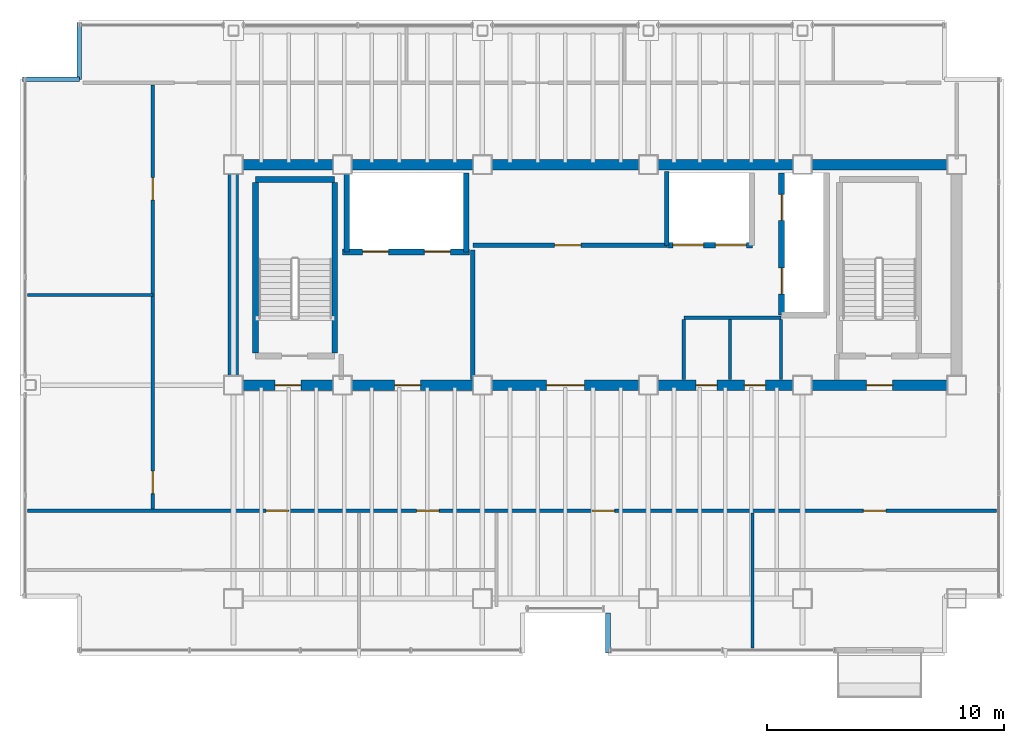
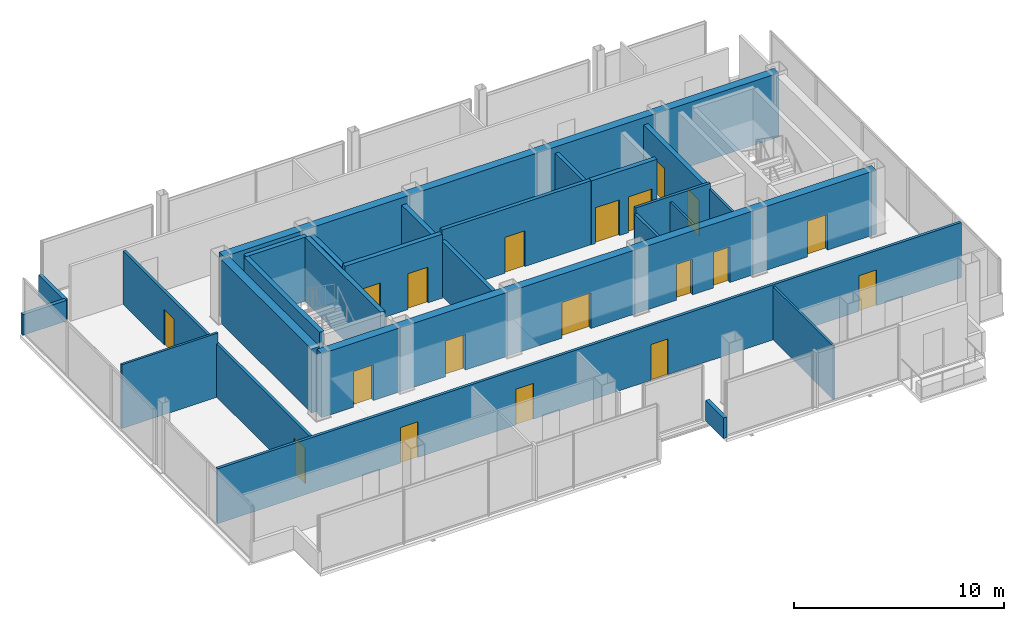
# One storey, part 15 of 17: 25 walls, 19 doors, 19 openings.
"""IFC4 building model written with IfcOpenShell, lengths in metres."""

from ifc_helpers import new_model, si_unit, direction, frame, frame_2d, origin, place, context, subcontext, project, spatial, rectangle, extrude, material, layer, layer_set, type_object, element, fill, save


model = new_model("IFC4")

# Units and contexts
model_context = context("Model", 3, precision=1e-05, world=origin(), true_north=direction((0.0, 1.0)))
body_context = subcontext(model_context, "Body", "Model", "MODEL_VIEW")
ifc_project = project(units=[si_unit("LENGTHUNIT", "METRE"), si_unit("AREAUNIT", "SQUARE_METRE"), si_unit("VOLUMEUNIT", "CUBIC_METRE"), si_unit("PLANEANGLEUNIT", "RADIAN"), si_unit("MASSUNIT", "GRAM", prefix="KILO")], contexts=[model_context])

# Site, building, storey
site_placement = place(None, origin())
site = spatial("IfcSite", under=ifc_project, at=site_placement, CompositionType="ELEMENT")
building_placement = place(site_placement, origin())
building = spatial("IfcBuilding", under=site, at=building_placement, Name="Noeulbin Bourse Tower", CompositionType="ELEMENT")
storey_placement = place(building_placement, frame((0.0, 0.0, 261.800048828125)))
storey = spatial("IfcBuildingStorey", under=building, at=storey_placement, Name="L65", CompositionType="ELEMENT", Elevation=261.800048828125)

# Wall, openings, doors
ifc_material_1 = material(Name="Concrete C50/60", Category="concrete")
ifc_layer_1 = layer(ifc_material_1, 0.449951171875)
ifc_layer_set_1 = layer_set([ifc_layer_1], Name="Concrete C50/60")
wall_type_1 = type_object("IfcWallType", Name="WAL-CORE-450", PredefinedType="SHEAR", material=ifc_layer_set_1)
wall_1_placement = place(storey_placement, frame((13.5, 29.0, 0.0), z_axis=(0.0, 0.0, 1.0), x_axis=(1.0, 0.0, 0.0)))
wall_1 = element("IfcWall", 1, at=wall_1_placement, inside=storey, type_object=wall_type_1, Name="Rear Core South Shear Wall L65", PredefinedType="SHEAR", context=body_context, shape_type="SweptSolid", body=[
    extrude(rectangle(XDim=30.5, YDim=0.449951171875, at=frame_2d((15.25, 0.0))), origin(), (0.0, 0.0, 1.0), 3.719970703125),
])
opening_1_placement = place(wall_1_placement, frame((1.75, 0.0, 0.0)))
opening_1 = element("IfcOpeningElement", 2, at=opening_1_placement, cuts=wall_1, Name="Opening FD-11", PredefinedType="OPENING", context=body_context, shape_type="SweptSolid", body=[
    extrude(rectangle(XDim=1.10009765625, YDim=2.080078125, at=frame_2d((0.550048828125, 1.0400390625))), frame((0.0, 0.23486328125, 0.0), z_axis=(0.0, -1.0, 0.0), x_axis=(1.0, 0.0, 0.0)), (0.0, 0.0, 1.0), 0.469970703125),
])
opening_2_placement = place(wall_1_placement, frame((26.699951171875, 0.0, 0.0)))
opening_2 = element("IfcOpeningElement", 3, at=opening_2_placement, cuts=wall_1, Name="Opening FD-11", PredefinedType="OPENING", context=body_context, shape_type="SweptSolid", body=[
    extrude(rectangle(XDim=1.10009765625, YDim=2.080078125, at=frame_2d((0.550048828125, 1.0400390625))), frame((0.0, 0.23486328125, 0.0), z_axis=(0.0, -1.0, 0.0), x_axis=(1.0, 0.0, 0.0)), (0.0, 0.0, 1.0), 0.469970703125),
])
opening_3_placement = place(wall_1_placement, frame((6.800048828125, 0.0, 0.0)))
opening_3 = element("IfcOpeningElement", 4, at=opening_3_placement, cuts=wall_1, Name="Opening FD-11", PredefinedType="OPENING", context=body_context, shape_type="SweptSolid", body=[
    extrude(rectangle(XDim=1.10009765625, YDim=2.080078125, at=frame_2d((0.550048828125, 1.0400390625))), frame((0.0, 0.23486328125, 0.0), z_axis=(0.0, -1.0, 0.0), x_axis=(1.0, 0.0, 0.0)), (0.0, 0.0, 1.0), 0.469970703125),
])
opening_4_placement = place(wall_1_placement, frame((13.199951171875, 0.0, 0.0)))
opening_4 = element("IfcOpeningElement", 5, at=opening_4_placement, cuts=wall_1, Name="Opening ID-16", PredefinedType="OPENING", context=body_context, shape_type="SweptSolid", body=[
    extrude(rectangle(XDim=1.60009765625, YDim=2.080078125, at=frame_2d((0.800048828125, 1.0400390625))), frame((0.0, 0.23486328125, 0.0), z_axis=(0.0, -1.0, 0.0), x_axis=(1.0, 0.0, 0.0)), (0.0, 0.0, 1.0), 0.469970703125),
])
opening_5_placement = place(wall_1_placement, frame((19.5, 0.0, 0.0)))
opening_5 = element("IfcOpeningElement", 6, at=opening_5_placement, cuts=wall_1, Name="Opening FD-09", PredefinedType="OPENING", context=body_context, shape_type="SweptSolid", body=[
    extrude(rectangle(XDim=0.89990234375, YDim=2.080078125, at=frame_2d((0.449951171875, 1.0400390625))), frame((0.0, 0.23486328125, 0.0), z_axis=(0.0, -1.0, 0.0), x_axis=(1.0, 0.0, 0.0)), (0.0, 0.0, 1.0), 0.469970703125),
])
opening_6_placement = place(wall_1_placement, frame((21.550048828125, 0.0, 0.0)))
opening_6 = element("IfcOpeningElement", 7, at=opening_6_placement, cuts=wall_1, Name="Opening FD-09", PredefinedType="OPENING", context=body_context, shape_type="SweptSolid", body=[
    extrude(rectangle(XDim=0.89990234375, YDim=2.080078125, at=frame_2d((0.449951171875, 1.0400390625))), frame((0.0, 0.23486328125, 0.0), z_axis=(0.0, -1.0, 0.0), x_axis=(1.0, 0.0, 0.0)), (0.0, 0.0, 1.0), 0.469970703125),
])
ifc_material_2 = material(Name="Acoustic Glazed Aluminium", Category="aluminium")
door_type_1 = type_object("IfcDoorType", Name="DR-DBL-1600", OperationType="DOUBLE_DOOR_SINGLE_SWING", PredefinedType="DOOR", material=ifc_material_2)
door_1_placement = place(opening_4_placement, origin())
door_1 = element("IfcDoor", 8, at=door_1_placement, inside=storey, type_object=door_type_1, Name="Passenger Lift Lobby Portal L65", OperationType="DOUBLE_DOOR_SINGLE_SWING", OverallHeight=2.080078125, OverallWidth=1.60009765625, PredefinedType="DOOR", context=body_context, shape_type="SweptSolid", body=[
    extrude(rectangle(XDim=1.60009765625, YDim=2.080078125, at=frame_2d((0.800048828125, 1.0400390625))), frame((0.0, 0.02490234375, 0.0), z_axis=(0.0, -1.0, 0.0), x_axis=(1.0, 0.0, 0.0)), (0.0, 0.0, 1.0), 0.050048828125),
])
fill(opening_4, door_1)
ifc_material_3 = material(Name="Fire-Rated Timber Core", Category="wood")
door_type_2 = type_object("IfcDoorType", Name="DR-FD30-900", OperationType="SINGLE_SWING_RIGHT", PredefinedType="DOOR", material=ifc_material_3)
door_2_placement = place(opening_5_placement, origin())
door_2 = element("IfcDoor", 9, at=door_2_placement, inside=storey, type_object=door_type_2, Name="Interior Door L65-06", OperationType="SINGLE_SWING_LEFT", OverallHeight=2.080078125, OverallWidth=0.89990234375, PredefinedType="DOOR", context=body_context, shape_type="SweptSolid", body=[
    extrude(rectangle(XDim=0.89990234375, YDim=2.080078125, at=frame_2d((0.449951171875, 1.0400390625))), frame((0.0, 0.02490234375, 0.0), z_axis=(0.0, -1.0, 0.0), x_axis=(1.0, 0.0, 0.0)), (0.0, 0.0, 1.0), 0.050048828125),
])
fill(opening_5, door_2)
door_3_placement = place(opening_6_placement, origin())
door_3 = element("IfcDoor", 10, at=door_3_placement, inside=storey, type_object=door_type_2, Name="Interior Door L65-07", OperationType="SINGLE_SWING_RIGHT", OverallHeight=2.080078125, OverallWidth=0.89990234375, PredefinedType="DOOR", context=body_context, shape_type="SweptSolid", body=[
    extrude(rectangle(XDim=0.89990234375, YDim=2.080078125, at=frame_2d((0.449951171875, 1.0400390625))), frame((0.0, 0.02490234375, 0.0), z_axis=(0.0, -1.0, 0.0), x_axis=(1.0, 0.0, 0.0)), (0.0, 0.0, 1.0), 0.050048828125),
])
fill(opening_6, door_3)
ifc_material_4 = material(Name="Fire-Rated Insulated Steel", Category="steel")
door_type_3 = type_object("IfcDoorType", Name="DR-FD60-1100", OperationType="SINGLE_SWING_LEFT", PredefinedType="DOOR", material=ifc_material_4)
door_4_placement = place(opening_1_placement, origin())
door_4 = element("IfcDoor", 11, at=door_4_placement, inside=storey, type_object=door_type_3, Name="West Stair Lobby Door L65", OperationType="SINGLE_SWING_RIGHT", OverallHeight=2.080078125, OverallWidth=1.10009765625, PredefinedType="DOOR", context=body_context, shape_type="SweptSolid", body=[
    extrude(rectangle(XDim=1.10009765625, YDim=2.080078125, at=frame_2d((0.550048828125, 1.0400390625))), frame((0.0, 0.02490234375, 0.0), z_axis=(0.0, -1.0, 0.0), x_axis=(1.0, 0.0, 0.0)), (0.0, 0.0, 1.0), 0.050048828125),
])
fill(opening_1, door_4)
door_5_placement = place(opening_2_placement, origin())
door_5 = element("IfcDoor", 12, at=door_5_placement, inside=storey, type_object=door_type_3, Name="East Stair Lobby Door L65", OperationType="SINGLE_SWING_LEFT", OverallHeight=2.080078125, OverallWidth=1.10009765625, PredefinedType="DOOR", context=body_context, shape_type="SweptSolid", body=[
    extrude(rectangle(XDim=1.10009765625, YDim=2.080078125, at=frame_2d((0.550048828125, 1.0400390625))), frame((0.0, 0.02490234375, 0.0), z_axis=(0.0, -1.0, 0.0), x_axis=(1.0, 0.0, 0.0)), (0.0, 0.0, 1.0), 0.050048828125),
])
fill(opening_2, door_5)
door_6_placement = place(opening_3_placement, origin())
door_6 = element("IfcDoor", 13, at=door_6_placement, inside=storey, type_object=door_type_3, Name="Firefighting Lobby Door L65", OperationType="SINGLE_SWING_RIGHT", OverallHeight=2.080078125, OverallWidth=1.10009765625, PredefinedType="DOOR", context=body_context, shape_type="SweptSolid", body=[
    extrude(rectangle(XDim=1.10009765625, YDim=2.080078125, at=frame_2d((0.550048828125, 1.0400390625))), frame((0.0, 0.02490234375, 0.0), z_axis=(0.0, -1.0, 0.0), x_axis=(1.0, 0.0, 0.0)), (0.0, 0.0, 1.0), 0.050048828125),
])
fill(opening_3, door_6)

# Walls
wall_2_placement = place(storey_placement, frame((13.5, 38.300048828125, 0.0), z_axis=(0.0, 0.0, 1.0), x_axis=(1.0, 0.0, 0.0)))
element("IfcWall", 14, at=wall_2_placement, inside=storey, type_object=wall_type_1, Name="Rear Core North Shear Wall L65", PredefinedType="SHEAR", context=body_context, shape_type="SweptSolid", body=[
    extrude(rectangle(XDim=30.5, YDim=0.449951171875, at=frame_2d((15.25, 0.0))), origin(), (0.0, 0.0, 1.0), 3.719970703125),
])
wall_3_placement = place(storey_placement, frame((13.5, 29.35009765625, 0.0), z_axis=(0.0, 0.0, 1.0), x_axis=(0.0, 1.0, 0.0)))
element("IfcWall", 15, at=wall_3_placement, inside=storey, type_object=wall_type_1, Name="Rear Core West Shear Wall L65", PredefinedType="SHEAR", context=body_context, shape_type="SweptSolid", body=[
    extrude(rectangle(XDim=8.599853515625, YDim=0.449951171875, at=frame_2d((4.2998046875, 0.0))), origin(), (0.0, 0.0, 1.0), 3.719970703125),
])

# Wall, opening, door
ifc_material_5 = material(Name="Concrete C40/50", Category="concrete")
ifc_layer_2 = layer(ifc_material_5, 0.199951171875)
ifc_layer_set_2 = layer_set([ifc_layer_2], Name="Concrete C40/50")
wall_type_2 = type_object("IfcWallType", Name="WAL-FIRE-200", PredefinedType="STANDARD", material=ifc_layer_set_2)
wall_4_placement = place(storey_placement, frame((23.60009765625, 34.89990234375, 0.0), z_axis=(0.0, 0.0, 1.0), x_axis=(1.0, 0.0, 0.0)))
wall_4 = element("IfcWall", 16, at=wall_4_placement, inside=storey, type_object=wall_type_2, Name="Interior Partition Wall L65-02", PredefinedType="STANDARD", context=body_context, shape_type="SweptSolid", body=[
    extrude(rectangle(XDim=8.179931640625, YDim=0.199951171875, at=frame_2d((4.08984375, 0.0))), origin(), (0.0, 0.0, 1.0), 3.719970703125),
])
opening_7_placement = place(wall_4_placement, frame((3.449951171875, 0.0, 0.0)))
opening_7 = element("IfcOpeningElement", 17, at=opening_7_placement, cuts=wall_4, Name="Opening FD-11", PredefinedType="OPENING", context=body_context, shape_type="SweptSolid", body=[
    extrude(rectangle(XDim=1.10009765625, YDim=2.080078125, at=frame_2d((0.550048828125, 1.0400390625))), frame((0.0, 0.10986328125, 0.0), z_axis=(0.0, -1.0, 0.0), x_axis=(1.0, 0.0, 0.0)), (0.0, 0.0, 1.0), 0.219970703125),
])
door_7_placement = place(opening_7_placement, origin())
door_7 = element("IfcDoor", 18, at=door_7_placement, inside=storey, type_object=door_type_3, Name="Telemetry Server Door L65", OperationType="SINGLE_SWING_RIGHT", OverallHeight=2.080078125, OverallWidth=1.10009765625, PredefinedType="DOOR", context=body_context, shape_type="SweptSolid", body=[
    extrude(rectangle(XDim=1.10009765625, YDim=2.080078125, at=frame_2d((0.550048828125, 1.0400390625))), frame((0.0, 0.02490234375, 0.0), z_axis=(0.0, -1.0, 0.0), x_axis=(1.0, 0.0, 0.0)), (0.0, 0.0, 1.0), 0.050048828125),
])
fill(opening_7, door_7)

# Walls
wall_5_placement = place(storey_placement, frame((23.60009765625, 29.235107421875, 0.0), z_axis=(0.0, 0.0, 1.0), x_axis=(0.0, 1.0, 0.0)))
element("IfcWall", 19, at=wall_5_placement, inside=storey, type_object=wall_type_2, Name="Interior Partition Wall L65-12", PredefinedType="STANDARD", context=body_context, shape_type="SweptSolid", body=[
    extrude(rectangle(XDim=5.46484375, YDim=0.199951171875, at=frame_2d((2.732421875, 0.0))), origin(), (0.0, 0.0, 1.0), 3.199951171875),
])
ifc_layer_3 = layer(ifc_material_5, 0.199951171875)
ifc_layer_set_3 = layer_set([ifc_layer_3], Name="Concrete C40/50")
wall_type_3 = type_object("IfcWallType", Name="WAL-PAR-200", PredefinedType="PARAPET", material=ifc_layer_set_3)
wall_6_placement = place(storey_placement, frame((4.60009765625, 41.89990234375, 0.0), z_axis=(0.0, 0.0, 1.0), x_axis=(1.0, 0.0, 0.0)))
element("IfcWall", 20, at=wall_6_placement, inside=storey, type_object=wall_type_3, Name="Corner Notch Parapet L65-NW1", PredefinedType="PARAPET", context=body_context, shape_type="SweptSolid", body=[
    extrude(rectangle(XDim=2.39990234375, YDim=0.199951171875, at=frame_2d((1.199951171875, 0.0))), origin(), (0.0, 0.0, 1.0), 1.199951171875),
])
wall_7_placement = place(storey_placement, frame((7.0, 41.89990234375, 0.0), z_axis=(0.0, 0.0, 1.0), x_axis=(0.0, 1.0, 0.0)))
element("IfcWall", 21, at=wall_7_placement, inside=storey, type_object=wall_type_3, Name="Corner Notch Parapet L65-NW2", PredefinedType="PARAPET", context=body_context, shape_type="SweptSolid", body=[
    extrude(rectangle(XDim=2.400146484375, YDim=0.199951171875, at=frame_2d((1.2001953125, 0.0))), origin(), (0.0, 0.0, 1.0), 1.199951171875),
])
wall_8_placement = place(storey_placement, frame((29.300048828125, 19.39990234375, 0.0), z_axis=(0.0, 0.0, 1.0), x_axis=(0.0, -1.0, 0.0)))
element("IfcWall", 22, at=wall_8_placement, inside=storey, type_object=wall_type_3, Name="Sky-Garden Recess Parapet L65-E", PredefinedType="PARAPET", context=body_context, shape_type="SweptSolid", body=[
    extrude(rectangle(XDim=1.699951171875, YDim=0.199951171875, at=frame_2d((0.85009765625, 0.0))), origin(), (0.0, 0.0, 1.0), 1.199951171875),
])
ifc_material_6 = material(Name="Steel Stud Gypsum Partition", Category="steel")
ifc_layer_4 = layer(ifc_material_6, 0.1201171875)
ifc_layer_set_4 = layer_set([ifc_layer_4], Name="Steel Stud Gypsum Partition")
wall_type_4 = type_object("IfcWallType", Name="WAL-PRT-120", PredefinedType="PARTITIONING", material=ifc_layer_set_4)
wall_9_placement = place(storey_placement, frame((4.81005859375, 32.800048828125, 0.0), z_axis=(0.0, 0.0, 1.0), x_axis=(1.0, 0.0, 0.0)))
element("IfcWall", 23, at=wall_9_placement, inside=storey, type_object=wall_type_4, Name="Interior Partition Wall L65-08", PredefinedType="PARTITIONING", context=body_context, shape_type="SweptSolid", body=[
    extrude(rectangle(XDim=5.2900390625, YDim=0.1201171875, at=frame_2d((2.64501953125, 0.0))), origin(), (0.0, 0.0, 1.0), 3.719970703125),
])
for number, where, z_axis, x_axis, name in (
    (24, (36.60009765625, 29.235107421875, 0.0), (0.0, 0.0, 1.0), (0.0, 1.0, 0.0), "Interior Partition Wall L65-14"),
    (25, (34.449951171875, 29.235107421875, 0.0), (0.0, 0.0, 1.0), (0.0, 1.0, 0.0), "Interior Partition Wall L65-15"),
):
    element("IfcWall", number, at=place(storey_placement, frame(where, z_axis=z_axis, x_axis=x_axis)), inside=storey, type_object=wall_type_4, Name=name, PredefinedType="PARTITIONING", context=body_context, shape_type="SweptSolid", body=[
        extrude(rectangle(XDim=2.52978515625, YDim=0.1201171875, at=frame_2d((1.264892578125, 0.0))), origin(), (0.0, 0.0, 1.0), 3.39990234375),
    ])
wall_10_placement = place(storey_placement, frame((35.39990234375, 17.909912109375, 0.0), z_axis=(0.0, 0.0, 1.0), x_axis=(0.0, 1.0, 0.0)))
element("IfcWall", 26, at=wall_10_placement, inside=storey, type_object=wall_type_4, Name="Interior Partition Wall L65-19", PredefinedType="PARTITIONING", context=body_context, shape_type="SweptSolid", body=[
    extrude(rectangle(XDim=5.705078125, YDim=0.1201171875, at=frame_2d((2.8525390625, 0.0))), origin(), (0.0, 0.0, 1.0), 3.099853515625),
])
ifc_material_7 = material(Name="Steel Stud Acoustic Gypsum Board", Category="steel")
ifc_layer_5 = layer(ifc_material_7, 0.14990234375)
ifc_layer_set_5 = layer_set([ifc_layer_5], Name="Steel Stud Acoustic Gypsum Board")
wall_type_5 = type_object("IfcWallType", Name="WAL-PRT-150", PredefinedType="PARTITIONING", material=ifc_layer_set_5)
wall_11_placement = place(storey_placement, frame((32.5, 31.85009765625, 0.0), z_axis=(0.0, 0.0, 1.0), x_axis=(1.0, 0.0, 0.0)))
element("IfcWall", 27, at=wall_11_placement, inside=storey, type_object=wall_type_5, Name="Interior Partition Wall L65-03", PredefinedType="PARTITIONING", context=body_context, shape_type="SweptSolid", body=[
    extrude(rectangle(XDim=4.10009765625, YDim=0.14990234375, at=frame_2d((2.050048828125, 0.0))), origin(), (0.0, 0.0, 1.0), 3.719970703125),
])

# Wall, openings, doors
wall_12_placement = place(storey_placement, frame((4.81005859375, 23.699951171875, 0.0), z_axis=(0.0, 0.0, 1.0), x_axis=(1.0, 0.0, 0.0)))
wall_12 = element("IfcWall", 28, at=wall_12_placement, inside=storey, type_object=wall_type_5, Name="Interior Partition Wall L65-04", PredefinedType="PARTITIONING", context=body_context, shape_type="SweptSolid", body=[
    extrude(rectangle(XDim=40.8798828125, YDim=0.14990234375, at=frame_2d((20.43994140625, 0.0))), origin(), (0.0, 0.0, 1.0), 3.199951171875),
])
opening_8_placement = place(wall_12_placement, frame((10.06494140625, 0.0, 0.0)))
opening_8 = element("IfcOpeningElement", 29, at=opening_8_placement, cuts=wall_12, Name="Opening ID-09", PredefinedType="OPENING", context=body_context, shape_type="SweptSolid", body=[
    extrude(rectangle(XDim=0.949951171875, YDim=2.080078125, at=frame_2d((0.47509765625, 1.0400390625))), frame((0.0, 0.0849609375, 0.0), z_axis=(0.0, -1.0, 0.0), x_axis=(1.0, 0.0, 0.0)), (0.0, 0.0, 1.0), 0.169921875),
])
opening_9_placement = place(wall_12_placement, frame((16.4150390625, 0.0, 0.0)))
opening_9 = element("IfcOpeningElement", 30, at=opening_9_placement, cuts=wall_12, Name="Opening ID-09", PredefinedType="OPENING", context=body_context, shape_type="SweptSolid", body=[
    extrude(rectangle(XDim=0.949951171875, YDim=2.080078125, at=frame_2d((0.47509765625, 1.0400390625))), frame((0.0, 0.0849609375, 0.0), z_axis=(0.0, -1.0, 0.0), x_axis=(1.0, 0.0, 0.0)), (0.0, 0.0, 1.0), 0.169921875),
])
opening_10_placement = place(wall_12_placement, frame((23.81494140625, 0.0, 0.0)))
opening_10 = element("IfcOpeningElement", 31, at=opening_10_placement, cuts=wall_12, Name="Opening ID-09", PredefinedType="OPENING", context=body_context, shape_type="SweptSolid", body=[
    extrude(rectangle(XDim=0.949951171875, YDim=2.080078125, at=frame_2d((0.47509765625, 1.0400390625))), frame((0.0, 0.0849609375, 0.0), z_axis=(0.0, -1.0, 0.0), x_axis=(1.0, 0.0, 0.0)), (0.0, 0.0, 1.0), 0.169921875),
])
opening_11_placement = place(wall_12_placement, frame((35.260009765625, 0.0, 0.0)))
opening_11 = element("IfcOpeningElement", 32, at=opening_11_placement, cuts=wall_12, Name="Opening ID-09", PredefinedType="OPENING", context=body_context, shape_type="SweptSolid", body=[
    extrude(rectangle(XDim=0.949951171875, YDim=2.080078125, at=frame_2d((0.47509765625, 1.0400390625))), frame((0.0, 0.0849609375, 0.0), z_axis=(0.0, -1.0, 0.0), x_axis=(1.0, 0.0, 0.0)), (0.0, 0.0, 1.0), 0.169921875),
])
ifc_material_8 = material(Name="Acoustic Solid-Core Timber", Category="wood")
door_type_4 = type_object("IfcDoorType", Name="DR-SINGLE-950", OperationType="SINGLE_SWING_LEFT", PredefinedType="DOOR", material=ifc_material_8)
door_8_placement = place(opening_8_placement, origin())
door_8 = element("IfcDoor", 33, at=door_8_placement, inside=storey, type_object=door_type_4, Name="Interior Door L65-09", OperationType="SINGLE_SWING_RIGHT", OverallHeight=2.080078125, OverallWidth=0.949951171875, PredefinedType="DOOR", context=body_context, shape_type="SweptSolid", body=[
    extrude(rectangle(XDim=0.949951171875, YDim=2.080078125, at=frame_2d((0.47509765625, 1.0400390625))), frame((0.0, 0.02490234375, 0.0), z_axis=(0.0, -1.0, 0.0), x_axis=(1.0, 0.0, 0.0)), (0.0, 0.0, 1.0), 0.050048828125),
])
fill(opening_8, door_8)
door_9_placement = place(opening_9_placement, origin())
door_9 = element("IfcDoor", 34, at=door_9_placement, inside=storey, type_object=door_type_4, Name="Interior Door L65-11", OperationType="SINGLE_SWING_RIGHT", OverallHeight=2.080078125, OverallWidth=0.949951171875, PredefinedType="DOOR", context=body_context, shape_type="SweptSolid", body=[
    extrude(rectangle(XDim=0.949951171875, YDim=2.080078125, at=frame_2d((0.47509765625, 1.0400390625))), frame((0.0, 0.02490234375, 0.0), z_axis=(0.0, -1.0, 0.0), x_axis=(1.0, 0.0, 0.0)), (0.0, 0.0, 1.0), 0.050048828125),
])
fill(opening_9, door_9)
door_10_placement = place(opening_10_placement, origin())
door_10 = element("IfcDoor", 35, at=door_10_placement, inside=storey, type_object=door_type_4, Name="Interior Door L65-12", OperationType="SINGLE_SWING_LEFT", OverallHeight=2.080078125, OverallWidth=0.949951171875, PredefinedType="DOOR", context=body_context, shape_type="SweptSolid", body=[
    extrude(rectangle(XDim=0.949951171875, YDim=2.080078125, at=frame_2d((0.47509765625, 1.0400390625))), frame((0.0, 0.02490234375, 0.0), z_axis=(0.0, -1.0, 0.0), x_axis=(1.0, 0.0, 0.0)), (0.0, 0.0, 1.0), 0.050048828125),
])
fill(opening_10, door_10)
door_11_placement = place(opening_11_placement, origin())
door_11 = element("IfcDoor", 36, at=door_11_placement, inside=storey, type_object=door_type_4, Name="Interior Door L65-14", OperationType="SINGLE_SWING_LEFT", OverallHeight=2.080078125, OverallWidth=0.949951171875, PredefinedType="DOOR", context=body_context, shape_type="SweptSolid", body=[
    extrude(rectangle(XDim=0.949951171875, YDim=2.080078125, at=frame_2d((0.47509765625, 1.0400390625))), frame((0.0, 0.02490234375, 0.0), z_axis=(0.0, -1.0, 0.0), x_axis=(1.0, 0.0, 0.0)), (0.0, 0.0, 1.0), 0.050048828125),
])
fill(opening_11, door_11)

# Wall
wall_13_placement = place(storey_placement, frame((32.5, 29.235107421875, 0.0), z_axis=(0.0, 0.0, 1.0), x_axis=(0.0, 1.0, 0.0)))
element("IfcWall", 37, at=wall_13_placement, inside=storey, type_object=wall_type_5, Name="Interior Partition Wall L65-13", PredefinedType="PARTITIONING", context=body_context, shape_type="SweptSolid", body=[
    extrude(rectangle(XDim=2.52978515625, YDim=0.14990234375, at=frame_2d((1.264892578125, 0.0))), origin(), (0.0, 0.0, 1.0), 3.39990234375),
])

# Wall, openings, doors
wall_14_placement = place(storey_placement, frame((10.10009765625, 23.784912109375, 0.0), z_axis=(0.0, 0.0, 1.0), x_axis=(0.0, 1.0, 0.0)))
wall_14 = element("IfcWall", 38, at=wall_14_placement, inside=storey, type_object=wall_type_5, Name="Interior Partition Wall L65-16", PredefinedType="PARTITIONING", context=body_context, shape_type="SweptSolid", body=[
    extrude(rectangle(XDim=17.880126953125, YDim=0.14990234375, at=frame_2d((8.93994140625, 0.0))), origin(), (0.0, 0.0, 1.0), 3.099853515625),
])
opening_12_placement = place(wall_14_placement, frame((0.639892578125, 0.0, 0.0)))
opening_12 = element("IfcOpeningElement", 39, at=opening_12_placement, cuts=wall_14, Name="Opening ID-09", PredefinedType="OPENING", context=body_context, shape_type="SweptSolid", body=[
    extrude(rectangle(XDim=0.949951171875, YDim=2.080078125, at=frame_2d((0.47509765625, 1.0400390625))), frame((0.0, 0.0849609375, 0.0), z_axis=(0.0, -1.0, 0.0), x_axis=(1.0, 0.0, 0.0)), (0.0, 0.0, 1.0), 0.169921875),
])
opening_13_placement = place(wall_14_placement, frame((13.014892578125, 0.0, 0.0)))
opening_13 = element("IfcOpeningElement", 40, at=opening_13_placement, cuts=wall_14, Name="Opening ID-09", PredefinedType="OPENING", context=body_context, shape_type="SweptSolid", body=[
    extrude(rectangle(XDim=0.949951171875, YDim=2.080078125, at=frame_2d((0.47509765625, 1.0400390625))), frame((0.0, 0.0849609375, 0.0), z_axis=(0.0, -1.0, 0.0), x_axis=(1.0, 0.0, 0.0)), (0.0, 0.0, 1.0), 0.169921875),
])
door_12_placement = place(opening_12_placement, origin())
door_12 = element("IfcDoor", 41, at=door_12_placement, inside=storey, type_object=door_type_4, Name="Interior Door L65-15", OperationType="SINGLE_SWING_RIGHT", OverallHeight=2.080078125, OverallWidth=0.949951171875, PredefinedType="DOOR", context=body_context, shape_type="SweptSolid", body=[
    extrude(rectangle(XDim=0.949951171875, YDim=2.080078125, at=frame_2d((0.47509765625, 1.0400390625))), frame((0.0, 0.02490234375, 0.0), z_axis=(0.0, -1.0, 0.0), x_axis=(1.0, 0.0, 0.0)), (0.0, 0.0, 1.0), 0.050048828125),
])
fill(opening_12, door_12)
door_13_placement = place(opening_13_placement, origin())
door_13 = element("IfcDoor", 42, at=door_13_placement, inside=storey, type_object=door_type_4, Name="Interior Door L65-16", OperationType="SINGLE_SWING_LEFT", OverallHeight=2.080078125, OverallWidth=0.949951171875, PredefinedType="DOOR", context=body_context, shape_type="SweptSolid", body=[
    extrude(rectangle(XDim=0.949951171875, YDim=2.080078125, at=frame_2d((0.47509765625, 1.0400390625))), frame((0.0, 0.02490234375, 0.0), z_axis=(0.0, -1.0, 0.0), x_axis=(1.0, 0.0, 0.0)), (0.0, 0.0, 1.0), 0.050048828125),
])
fill(opening_13, door_13)

# Walls
ifc_layer_6 = layer(ifc_material_5, 0.25)
ifc_layer_set_6 = layer_set([ifc_layer_6], Name="Concrete C40/50")
wall_type_6 = type_object("IfcWallType", Name="WAL-SHFT-250", PredefinedType="STANDARD", material=ifc_layer_set_6)
wall_15_placement = place(storey_placement, frame((14.429931640625, 37.6689453125, 0.0), z_axis=(0.0, 0.0, 1.0), x_axis=(1.0, 0.0, 0.0)))
element("IfcWall", 43, at=wall_15_placement, inside=storey, type_object=wall_type_6, Name="Stair ST-1 North Shaft Wall L65", PredefinedType="STANDARD", context=body_context, shape_type="SweptSolid", body=[
    extrude(rectangle(XDim=3.340087890625, YDim=0.25, at=frame_2d((1.669921875, 0.0))), origin(), (0.0, 0.0, 1.0), 3.719970703125),
])
for number, where, z_axis, x_axis, name in (
    (44, (14.425048828125, 30.360107421875, 0.0), (0.0, 0.0, 1.0), (0.0, 1.0, 0.0), "Stair ST-1 West Shaft Wall L65"),
    (45, (17.77490234375, 30.360107421875, 0.0), (0.0, 0.0, 1.0), (0.0, 1.0, 0.0), "Stair ST-1 East Shaft Wall L65"),
):
    element("IfcWall", number, at=place(storey_placement, frame(where, z_axis=z_axis, x_axis=x_axis)), inside=storey, type_object=wall_type_6, Name=name, PredefinedType="STANDARD", context=body_context, shape_type="SweptSolid", body=[
        extrude(rectangle(XDim=7.183837890625, YDim=0.25, at=frame_2d((3.591796875, 0.0))), origin(), (0.0, 0.0, 1.0), 3.719970703125),
    ])

# Wall, openings, doors
wall_16_placement = place(storey_placement, frame((18.10009765625, 34.6201171875, 0.0), z_axis=(0.0, 0.0, 1.0), x_axis=(1.0, 0.0, 0.0)))
wall_16 = element("IfcWall", 46, at=wall_16_placement, inside=storey, type_object=wall_type_6, Name="Firefighting Lift Shaft Front L65", PredefinedType="STANDARD", context=body_context, shape_type="SweptSolid", body=[
    extrude(rectangle(XDim=5.349853515625, YDim=0.25, at=frame_2d((2.6748046875, 0.0))), origin(), (0.0, 0.0, 1.0), 3.719970703125),
])
opening_14_placement = place(wall_16_placement, frame((0.85009765625, 0.0, 0.0)))
opening_14 = element("IfcOpeningElement", 47, at=opening_14_placement, cuts=wall_16, Name="Opening LD-11", PredefinedType="OPENING", context=body_context, shape_type="SweptSolid", body=[
    extrude(rectangle(XDim=1.10009765625, YDim=2.080078125, at=frame_2d((0.550048828125, 1.0400390625))), frame((0.0, 0.135009765625, 0.0), z_axis=(0.0, -1.0, 0.0), x_axis=(1.0, 0.0, 0.0)), (0.0, 0.0, 1.0), 0.27001953125),
])
opening_15_placement = place(wall_16_placement, frame((3.449951171875, 0.0, 0.0)))
opening_15 = element("IfcOpeningElement", 48, at=opening_15_placement, cuts=wall_16, Name="Opening LD-11", PredefinedType="OPENING", context=body_context, shape_type="SweptSolid", body=[
    extrude(rectangle(XDim=1.10009765625, YDim=2.080078125, at=frame_2d((0.550048828125, 1.0400390625))), frame((0.0, 0.135009765625, 0.0), z_axis=(0.0, -1.0, 0.0), x_axis=(1.0, 0.0, 0.0)), (0.0, 0.0, 1.0), 0.27001953125),
])
ifc_material_9 = material(Name="Brushed Stainless Steel 316", Category="steel")
door_type_5 = type_object("IfcDoorType", Name="DR-LIFT-1100", OperationType="SLIDING_TO_LEFT", PredefinedType="DOOR", material=ifc_material_9)
door_14_placement = place(opening_14_placement, origin())
door_14 = element("IfcDoor", 49, at=door_14_placement, inside=storey, type_object=door_type_5, Name="Lift Landing Door LD-FL-01-L65", OperationType="SLIDING_TO_LEFT", OverallHeight=2.080078125, OverallWidth=1.10009765625, PredefinedType="DOOR", context=body_context, shape_type="SweptSolid", body=[
    extrude(rectangle(XDim=1.10009765625, YDim=2.080078125, at=frame_2d((0.550048828125, 1.0400390625))), frame((0.0, 0.02490234375, 0.0), z_axis=(0.0, -1.0, 0.0), x_axis=(1.0, 0.0, 0.0)), (0.0, 0.0, 1.0), 0.050048828125),
])
fill(opening_14, door_14)
door_15_placement = place(opening_15_placement, origin())
door_15 = element("IfcDoor", 50, at=door_15_placement, inside=storey, type_object=door_type_5, Name="Lift Landing Door LD-FL-02-L65", OperationType="SLIDING_TO_LEFT", OverallHeight=2.080078125, OverallWidth=1.10009765625, PredefinedType="DOOR", context=body_context, shape_type="SweptSolid", body=[
    extrude(rectangle(XDim=1.10009765625, YDim=2.080078125, at=frame_2d((0.550048828125, 1.0400390625))), frame((0.0, 0.02490234375, 0.0), z_axis=(0.0, -1.0, 0.0), x_axis=(1.0, 0.0, 0.0)), (0.0, 0.0, 1.0), 0.050048828125),
])
fill(opening_15, door_15)

wall_17_placement = place(storey_placement, frame((36.6201171875, 31.949951171875, 0.0), z_axis=(0.0, 0.0, 1.0), x_axis=(0.0, 1.0, 0.0)))
wall_17 = element("IfcWall", 51, at=wall_17_placement, inside=storey, type_object=wall_type_6, Name="Service Lift Shaft Wall L65", PredefinedType="STANDARD", context=body_context, shape_type="SweptSolid", body=[
    extrude(rectangle(XDim=6.0, YDim=0.25, at=frame_2d((3.0, 0.0))), origin(), (0.0, 0.0, 1.0), 3.39990234375),
])
opening_16_placement = place(wall_17_placement, frame((0.89990234375, 0.0, 0.0)))
opening_16 = element("IfcOpeningElement", 52, at=opening_16_placement, cuts=wall_17, Name="Opening LD-11", PredefinedType="OPENING", context=body_context, shape_type="SweptSolid", body=[
    extrude(rectangle(XDim=1.10009765625, YDim=2.080078125, at=frame_2d((0.550048828125, 1.0400390625))), frame((0.0, 0.135009765625, 0.0), z_axis=(0.0, -1.0, 0.0), x_axis=(1.0, 0.0, 0.0)), (0.0, 0.0, 1.0), 0.27001953125),
])
opening_17_placement = place(wall_17_placement, frame((4.0, 0.0, 0.0)))
opening_17 = element("IfcOpeningElement", 53, at=opening_17_placement, cuts=wall_17, Name="Opening LD-11", PredefinedType="OPENING", context=body_context, shape_type="SweptSolid", body=[
    extrude(rectangle(XDim=1.10009765625, YDim=2.080078125, at=frame_2d((0.550048828125, 1.0400390625))), frame((0.0, 0.135009765625, 0.0), z_axis=(0.0, -1.0, 0.0), x_axis=(1.0, 0.0, 0.0)), (0.0, 0.0, 1.0), 0.27001953125),
])
door_16_placement = place(opening_16_placement, origin())
door_16 = element("IfcDoor", 54, at=door_16_placement, inside=storey, type_object=door_type_5, Name="Lift Landing Door LD-EL-01-L65", OperationType="SLIDING_TO_LEFT", OverallHeight=2.080078125, OverallWidth=1.10009765625, PredefinedType="DOOR", context=body_context, shape_type="SweptSolid", body=[
    extrude(rectangle(XDim=1.10009765625, YDim=2.080078125, at=frame_2d((0.550048828125, 1.0400390625))), frame((0.0, 0.02490234375, 0.0), z_axis=(0.0, -1.0, 0.0), x_axis=(1.0, 0.0, 0.0)), (0.0, 0.0, 1.0), 0.050048828125),
])
fill(opening_16, door_16)
door_17_placement = place(opening_17_placement, origin())
door_17 = element("IfcDoor", 55, at=door_17_placement, inside=storey, type_object=door_type_5, Name="Lift Landing Door LD-SV-01-L65", OperationType="SLIDING_TO_LEFT", OverallHeight=2.080078125, OverallWidth=1.10009765625, PredefinedType="DOOR", context=body_context, shape_type="SweptSolid", body=[
    extrude(rectangle(XDim=1.10009765625, YDim=2.080078125, at=frame_2d((0.550048828125, 1.0400390625))), frame((0.0, 0.02490234375, 0.0), z_axis=(0.0, -1.0, 0.0), x_axis=(1.0, 0.0, 0.0)), (0.0, 0.0, 1.0), 0.050048828125),
])
fill(opening_17, door_17)

# Walls
for number, where, z_axis, x_axis, name in (
    (56, (18.280029296875, 34.6201171875, 0.0), (0.0, 0.0, 1.0), (0.0, 1.0, 0.0), "Firefighting Lift West Shaft Wall L65"),
    (57, (23.320068359375, 34.6201171875, 0.0), (0.0, 0.0, 1.0), (0.0, 1.0, 0.0), "Firefighting Lift East Shaft Wall L65"),
):
    element("IfcWall", number, at=place(storey_placement, frame(where, z_axis=z_axis, x_axis=x_axis)), inside=storey, type_object=wall_type_6, Name=name, PredefinedType="STANDARD", context=body_context, shape_type="SweptSolid", body=[
        extrude(rectangle(XDim=3.329833984375, YDim=0.25, at=frame_2d((1.6650390625, 0.0))), origin(), (0.0, 0.0, 1.0), 3.39990234375),
    ])

# Wall, openings, doors
wall_18_placement = place(storey_placement, frame((31.800048828125, 34.89990234375, 0.0), z_axis=(0.0, 0.0, 1.0), x_axis=(1.0, 0.0, 0.0)))
wall_18 = element("IfcWall", 58, at=wall_18_placement, inside=storey, type_object=wall_type_6, Name="High-Rise Lift Bank Front L65", PredefinedType="STANDARD", context=body_context, shape_type="SweptSolid", body=[
    extrude(rectangle(XDim=3.599853515625, YDim=0.25, at=frame_2d((1.7998046875, 0.0))), origin(), (0.0, 0.0, 1.0), 3.719970703125),
])
opening_18_placement = place(wall_18_placement, frame((0.22998046875, 0.0, 0.0)))
opening_18 = element("IfcOpeningElement", 59, at=opening_18_placement, cuts=wall_18, Name="Opening LD-13", PredefinedType="OPENING", context=body_context, shape_type="SweptSolid", body=[
    extrude(rectangle(XDim=1.300048828125, YDim=2.080078125, at=frame_2d((0.64990234375, 1.0400390625))), frame((0.0, 0.135009765625, 0.0), z_axis=(0.0, -1.0, 0.0), x_axis=(1.0, 0.0, 0.0)), (0.0, 0.0, 1.0), 0.27001953125),
])
opening_19_placement = place(wall_18_placement, frame((2.030029296875, 0.0, 0.0)))
opening_19 = element("IfcOpeningElement", 60, at=opening_19_placement, cuts=wall_18, Name="Opening LD-13", PredefinedType="OPENING", context=body_context, shape_type="SweptSolid", body=[
    extrude(rectangle(XDim=1.300048828125, YDim=2.080078125, at=frame_2d((0.64990234375, 1.0400390625))), frame((0.0, 0.135009765625, 0.0), z_axis=(0.0, -1.0, 0.0), x_axis=(1.0, 0.0, 0.0)), (0.0, 0.0, 1.0), 0.27001953125),
])
door_type_6 = type_object("IfcDoorType", Name="DR-LIFT-1300", OperationType="DOUBLE_DOOR_SLIDING", PredefinedType="DOOR", material=ifc_material_9)
door_18_placement = place(opening_18_placement, origin())
door_18 = element("IfcDoor", 61, at=door_18_placement, inside=storey, type_object=door_type_6, Name="Lift Landing Door LD-PL-H1-L65", OperationType="DOUBLE_DOOR_SLIDING", OverallHeight=2.080078125, OverallWidth=1.300048828125, PredefinedType="DOOR", context=body_context, shape_type="SweptSolid", body=[
    extrude(rectangle(XDim=1.300048828125, YDim=2.080078125, at=frame_2d((0.64990234375, 1.0400390625))), frame((0.0, 0.02490234375, 0.0), z_axis=(0.0, -1.0, 0.0), x_axis=(1.0, 0.0, 0.0)), (0.0, 0.0, 1.0), 0.050048828125),
])
fill(opening_18, door_18)
door_19_placement = place(opening_19_placement, origin())
door_19 = element("IfcDoor", 62, at=door_19_placement, inside=storey, type_object=door_type_6, Name="Lift Landing Door LD-PL-H2-L65", OperationType="DOUBLE_DOOR_SLIDING", OverallHeight=2.080078125, OverallWidth=1.300048828125, PredefinedType="DOOR", context=body_context, shape_type="SweptSolid", body=[
    extrude(rectangle(XDim=1.300048828125, YDim=2.080078125, at=frame_2d((0.64990234375, 1.0400390625))), frame((0.0, 0.02490234375, 0.0), z_axis=(0.0, -1.0, 0.0), x_axis=(1.0, 0.0, 0.0)), (0.0, 0.0, 1.0), 0.050048828125),
])
fill(opening_19, door_19)

# Wall
wall_19_placement = place(storey_placement, frame((31.780029296875, 34.89990234375, 0.0), z_axis=(0.0, 0.0, 1.0), x_axis=(0.0, 1.0, 0.0)))
element("IfcWall", 63, at=wall_19_placement, inside=storey, type_object=wall_type_6, Name="Hoistway Side Shaft Wall L65-PLHW", PredefinedType="STANDARD", context=body_context, shape_type="SweptSolid", body=[
    extrude(rectangle(XDim=3.1201171875, YDim=0.199951171875, at=frame_2d((1.56005859375, 0.0))), origin(), (0.0, 0.0, 1.0), 3.39990234375),
])

save(model, "model.ifc")
